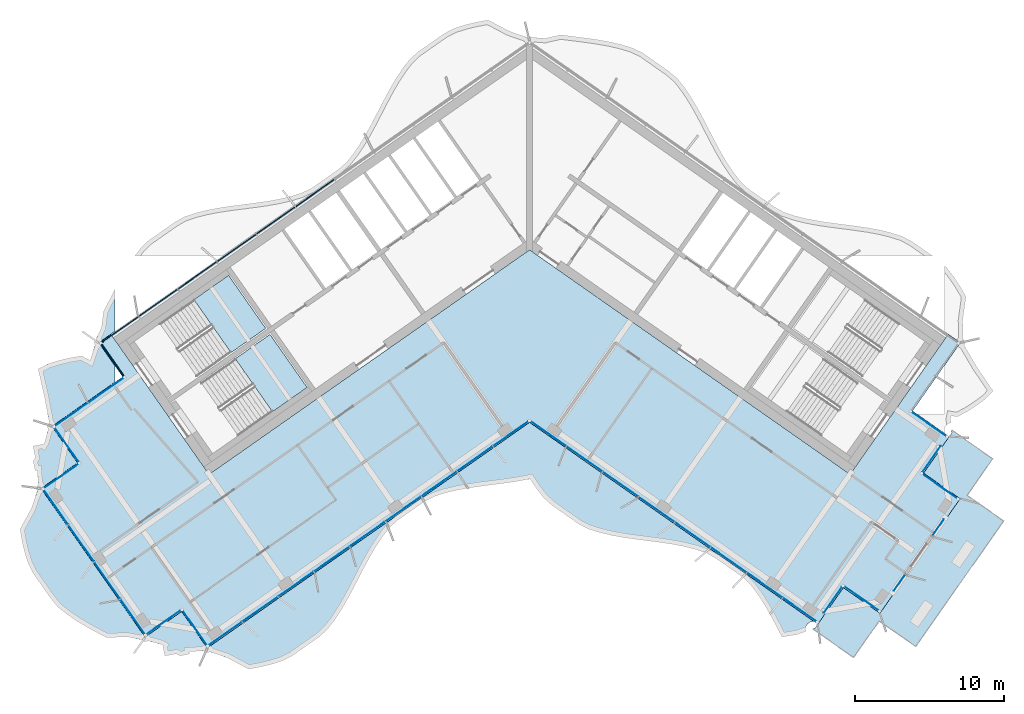
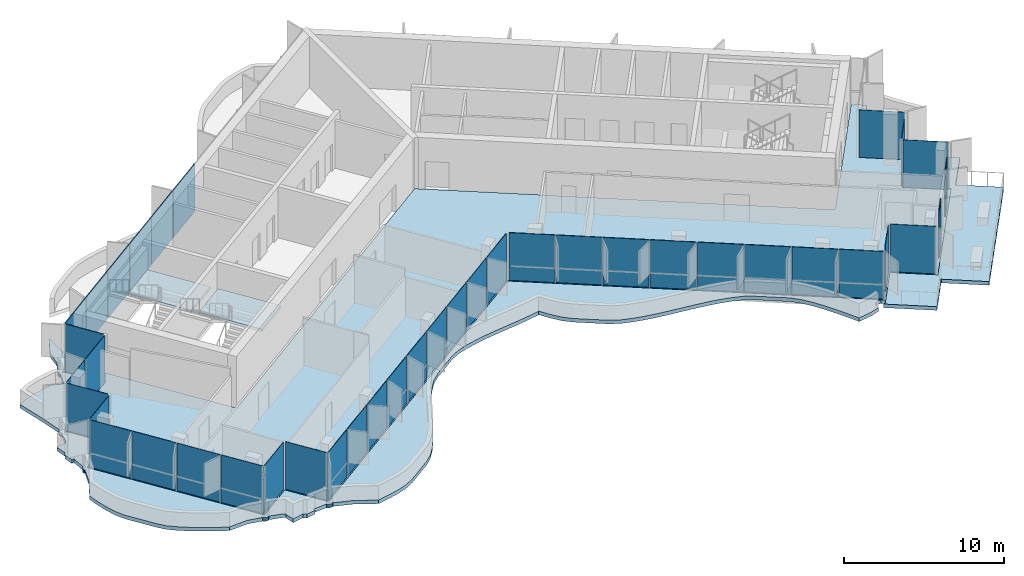
# One storey, part 7 of 18: 41 plates, 5 slabs, 5 elements without a shape of their own.
"""IFC4 building model written with IfcOpenShell, lengths in metres."""

from ifc_helpers import new_model, si_unit, direction, frame, origin, origin_2d, place, context, subcontext, project, spatial, polyline, rectangle, outline, extrude, material, layer, layer_set, type_object, element, aggregate, save


model = new_model("IFC4")

# Units and contexts
model_context = context("Model", 3, precision=1e-05, world=origin(), true_north=direction((0.0, 1.0)))
body_context = subcontext(model_context, "Body", "Model", "MODEL_VIEW")
ifc_project = project(units=[si_unit("LENGTHUNIT", "METRE"), si_unit("AREAUNIT", "SQUARE_METRE"), si_unit("VOLUMEUNIT", "CUBIC_METRE"), si_unit("PLANEANGLEUNIT", "RADIAN"), si_unit("MASSUNIT", "GRAM", prefix="KILO")], contexts=[model_context])

# Site, building, storey
site_placement = place(None, origin())
site = spatial("IfcSite", under=ifc_project, at=site_placement, CompositionType="ELEMENT")
building_placement = place(site_placement, origin())
building = spatial("IfcBuilding", under=site, at=building_placement, Name="Tel Ilan Convention Tower", CompositionType="ELEMENT")
storey_placement = place(building_placement, frame((0.0, 0.0, 272.199951171875)))
storey = spatial("IfcBuildingStorey", under=building, at=storey_placement, Name="L64", CompositionType="ELEMENT", Elevation=272.199951171875)

# Curtain wall, plates
ifc_material_1 = material(Name="Aluminium, bronze anodised", Category="aluminium")
curtain_wall_type_1 = type_object("IfcCurtainWallType", Name="CW2 STICK CURTAIN WALL, SPANDREL PANELS", PredefinedType="NOTDEFINED", material=ifc_material_1)
curtain_wall_1_placement = place(storey_placement, origin())
curtain_wall_1 = element("IfcCurtainWall", 1, at=curtain_wall_1_placement, inside=storey, type_object=curtain_wall_type_1, Name="Curtain wall CW2-49.03", PredefinedType="NOTDEFINED")
ifc_material_2 = material(Name="Aluminium composite panel, bronze anodised", Category="aluminium")
ifc_layer_1 = layer(ifc_material_2, 0.06005859375)
ifc_layer_set_1 = layer_set([ifc_layer_1], Name="CW SPANDREL PANEL 60")
plate_type_1 = type_object("IfcPlateType", Name="CW SPANDREL PANEL 60", PredefinedType="CURTAIN_PANEL", material=ifc_layer_set_1)
plate_1_placement = place(storey_placement, frame((-14.422119140625, 2.59765625, 0.0), z_axis=(0.0, 0.0, 1.0), x_axis=(-0.819152044289, -0.573576436351, 0.0)))
plate_1 = element("IfcPlate", 2, at=plate_1_placement, type_object=plate_type_1, Name="Spandrel panel", PredefinedType="CURTAIN_PANEL", context=body_context, shape_type="SweptSolid", body=[
    extrude(rectangle(XDim=3.15380859375, YDim=0.06005859375, at=origin_2d()), origin(), (0.0, 0.0, 1.0), 3.6201171875),
])
plate_2_placement = place(storey_placement, frame((-17.0546875, 0.754150390625, 0.0), z_axis=(0.0, 0.0, 1.0), x_axis=(-0.819152044289, -0.573576436351, 0.0)))
plate_2 = element("IfcPlate", 3, at=plate_2_placement, type_object=plate_type_1, Name="Spandrel panel", PredefinedType="CURTAIN_PANEL", context=body_context, shape_type="SweptSolid", body=[
    extrude(rectangle(XDim=3.15380859375, YDim=0.06005859375, at=origin_2d()), origin(), (0.0, 0.0, 1.0), 3.6201171875),
])
plate_3_placement = place(storey_placement, frame((-19.687255859375, -1.089111328125, 0.0), z_axis=(0.0, 0.0, 1.0), x_axis=(-0.819152044289, -0.573576436351, 0.0)))
plate_3 = element("IfcPlate", 4, at=plate_3_placement, type_object=plate_type_1, Name="Spandrel panel", PredefinedType="CURTAIN_PANEL", context=body_context, shape_type="SweptSolid", body=[
    extrude(rectangle(XDim=3.15380859375, YDim=0.06005859375, at=origin_2d()), origin(), (0.0, 0.0, 1.0), 3.6201171875),
])
plate_4_placement = place(storey_placement, frame((-22.31982421875, -2.9326171875, 0.0), z_axis=(0.0, 0.0, 1.0), x_axis=(-0.819152044289, -0.573576436351, 0.0)))
plate_4 = element("IfcPlate", 5, at=plate_4_placement, type_object=plate_type_1, Name="Spandrel panel", PredefinedType="CURTAIN_PANEL", context=body_context, shape_type="SweptSolid", body=[
    extrude(rectangle(XDim=3.15380859375, YDim=0.06005859375, at=origin_2d()), origin(), (0.0, 0.0, 1.0), 3.6201171875),
])
plate_5_placement = place(storey_placement, frame((-24.95263671875, -4.77587890625, 0.0), z_axis=(0.0, 0.0, 1.0), x_axis=(-0.819152044289, -0.573576436351, 0.0)))
plate_5 = element("IfcPlate", 6, at=plate_5_placement, type_object=plate_type_1, Name="Spandrel panel", PredefinedType="CURTAIN_PANEL", context=body_context, shape_type="SweptSolid", body=[
    extrude(rectangle(XDim=3.15380859375, YDim=0.06005859375, at=origin_2d()), origin(), (0.0, 0.0, 1.0), 3.6201171875),
])
plate_6_placement = place(storey_placement, frame((-27.5400390625, -6.587646484375, 0.0), z_axis=(0.0, 0.0, 1.0), x_axis=(-0.819152044289, -0.573576436351, 0.0)))
plate_6 = element("IfcPlate", 7, at=plate_6_placement, type_object=plate_type_1, Name="Spandrel panel", PredefinedType="CURTAIN_PANEL", context=body_context, shape_type="SweptSolid", body=[
    extrude(rectangle(XDim=3.0439453125, YDim=0.06005859375, at=origin_2d()), origin(), (0.0, 0.0, 1.0), 3.6201171875),
])
plate_7_placement = place(storey_placement, frame((-28.033935546875, -8.60546875, 0.0), z_axis=(0.0, 0.0, 1.0), x_axis=(0.573576436351, -0.819152044289, 0.0)))
plate_7 = element("IfcPlate", 8, at=plate_7_placement, type_object=plate_type_1, Name="Spandrel panel", PredefinedType="CURTAIN_PANEL", context=body_context, shape_type="SweptSolid", body=[
    extrude(rectangle(XDim=2.658935546875, YDim=0.06005859375, at=origin_2d()), origin(), (0.0, 0.0, 1.0), 3.6201171875),
])
aggregate(curtain_wall_1, [plate_1, plate_2, plate_3, plate_4, plate_5, plate_6, plate_7])

ifc_material_3 = material(Name="Aluminium, bronze anodised", Category="aluminium")
curtain_wall_type_2 = type_object("IfcCurtainWallType", Name="CW5 STICK CURTAIN WALL, UPPER OFFICE LOW-IRON TINTED GLASS", PredefinedType="NOTDEFINED", material=ifc_material_3)
curtain_wall_2_placement = place(storey_placement, origin())
curtain_wall_2 = element("IfcCurtainWall", 9, at=curtain_wall_2_placement, inside=storey, type_object=curtain_wall_type_2, Name="Curtain wall CW5-49.02", PredefinedType="NOTDEFINED")
ifc_material_4 = material(Name="Glass, low-iron bronze tinted, two-ply", Category="glass")
ifc_layer_2 = layer(ifc_material_4, 0.031982421875)
ifc_layer_set_2 = layer_set([ifc_layer_2], Name="CW UPPER GLASS PANEL 32")
plate_type_2 = type_object("IfcPlateType", Name="CW UPPER GLASS PANEL 32", PredefinedType="CURTAIN_PANEL", material=ifc_layer_set_2)
plate_8_placement = place(storey_placement, frame((27.459716796875, -19.88623046875, 0.0), z_axis=(0.0, 0.0, 1.0), x_axis=(0.573576436351, 0.819152044289, 0.0)))
plate_8 = element("IfcPlate", 10, at=plate_8_placement, type_object=plate_type_2, Name="Glass panel", PredefinedType="CURTAIN_PANEL", context=body_context, shape_type="SweptSolid", body=[
    extrude(rectangle(XDim=1.327392578125, YDim=0.028076171875, at=origin_2d()), origin(), (0.0, 0.0, 1.0), 3.6201171875),
])
plate_9_placement = place(storey_placement, frame((27.6044921875, -17.131591796875, 0.0), z_axis=(0.0, 0.0, 1.0), x_axis=(-0.819152044289, 0.573576436351, 0.0)))
plate_9 = element("IfcPlate", 11, at=plate_9_placement, type_object=plate_type_2, Name="Glass panel", PredefinedType="CURTAIN_PANEL", context=body_context, shape_type="SweptSolid", body=[
    extrude(rectangle(XDim=2.875, YDim=0.028076171875, at=origin_2d()), origin(), (0.0, 0.0, 1.0), 3.6201171875),
])
plate_10_placement = place(storey_placement, frame((27.010986328125, -15.296875, 0.0), z_axis=(0.0, 0.0, 1.0), x_axis=(0.573576436351, 0.819152044289, 0.0)))
plate_10 = element("IfcPlate", 12, at=plate_10_placement, type_object=plate_type_2, Name="Glass panel", PredefinedType="CURTAIN_PANEL", context=body_context, shape_type="SweptSolid", body=[
    extrude(rectangle(XDim=2.123046875, YDim=0.028076171875, at=origin_2d()), origin(), (0.0, 0.0, 1.0), 3.6201171875),
])
plate_11_placement = place(storey_placement, frame((26.86767578125, -12.953369140625, 0.0), z_axis=(0.0, 0.0, 1.0), x_axis=(-0.819152044289, 0.573576436351, 0.0)))
plate_11 = element("IfcPlate", 13, at=plate_11_placement, type_object=plate_type_2, Name="Glass panel", PredefinedType="CURTAIN_PANEL", context=body_context, shape_type="SweptSolid", body=[
    extrude(rectangle(XDim=2.875, YDim=0.028076171875, at=origin_2d()), origin(), (0.0, 0.0, 1.0), 3.6201171875),
])
aggregate(curtain_wall_2, [plate_8, plate_9, plate_10, plate_11])

curtain_wall_3_placement = place(storey_placement, origin())
curtain_wall_3 = element("IfcCurtainWall", 14, at=curtain_wall_3_placement, inside=storey, type_object=curtain_wall_type_2, Name="Curtain wall CW5-49.04", PredefinedType="NOTDEFINED")
plate_12_placement = place(storey_placement, frame((-28.471435546875, -10.657958984375, 0.0), z_axis=(0.0, 0.0, 1.0), x_axis=(-0.819152044289, -0.573576436351, 0.0)))
plate_12 = element("IfcPlate", 15, at=plate_12_placement, type_object=plate_type_2, Name="Glass panel", PredefinedType="CURTAIN_PANEL", context=body_context, shape_type="SweptSolid", body=[
    extrude(rectangle(XDim=2.868896484375, YDim=0.028076171875, at=origin_2d()), origin(), (0.0, 0.0, 1.0), 3.6201171875),
])
plate_13_placement = place(storey_placement, frame((-30.8203125, -12.302734375, 0.0), z_axis=(0.0, 0.0, 1.0), x_axis=(-0.819152044289, -0.573576436351, 0.0)))
plate_13 = element("IfcPlate", 16, at=plate_13_placement, type_object=plate_type_2, Name="Glass panel", PredefinedType="CURTAIN_PANEL", context=body_context, shape_type="SweptSolid", body=[
    extrude(rectangle(XDim=2.74609375, YDim=0.028076171875, at=origin_2d()), origin(), (0.0, 0.0, 1.0), 3.6201171875),
])
plate_14_placement = place(storey_placement, frame((-31.126220703125, -14.30126953125, 0.0), z_axis=(0.0, 0.0, 1.0), x_axis=(0.573576436351, -0.819152044289, 0.0)))
plate_14 = element("IfcPlate", 17, at=plate_14_placement, type_object=plate_type_2, Name="Glass panel", PredefinedType="CURTAIN_PANEL", context=body_context, shape_type="SweptSolid", body=[
    extrude(rectangle(XDim=2.875, YDim=0.028076171875, at=origin_2d()), origin(), (0.0, 0.0, 1.0), 3.6201171875),
])
plate_15_placement = place(storey_placement, frame((-31.504150390625, -16.44384765625, 0.0), z_axis=(0.0, 0.0, 1.0), x_axis=(-0.819152044289, -0.573576436351, 0.0)))
plate_15 = element("IfcPlate", 18, at=plate_15_placement, type_object=plate_type_2, Name="Glass panel", PredefinedType="CURTAIN_PANEL", context=body_context, shape_type="SweptSolid", body=[
    extrude(rectangle(XDim=2.875, YDim=0.028076171875, at=origin_2d()), origin(), (0.0, 0.0, 1.0), 3.6201171875),
])
plate_16_placement = place(storey_placement, frame((-31.85693359375, -18.488037109375, 0.0), z_axis=(0.0, 0.0, 1.0), x_axis=(0.573576436351, -0.819152044289, 0.0)))
plate_16 = element("IfcPlate", 19, at=plate_16_placement, type_object=plate_type_2, Name="Glass panel", PredefinedType="CURTAIN_PANEL", context=body_context, shape_type="SweptSolid", body=[
    extrude(rectangle(XDim=2.89599609375, YDim=0.028076171875, at=origin_2d()), origin(), (0.0, 0.0, 1.0), 3.6201171875),
])
plate_17_placement = place(storey_placement, frame((-30.134521484375, -20.94775390625, 0.0), z_axis=(0.0, 0.0, 1.0), x_axis=(0.573576436351, -0.819152044289, 0.0)))
plate_17 = element("IfcPlate", 20, at=plate_17_placement, type_object=plate_type_2, Name="Glass panel", PredefinedType="CURTAIN_PANEL", context=body_context, shape_type="SweptSolid", body=[
    extrude(rectangle(XDim=2.989990234375, YDim=0.028076171875, at=origin_2d()), origin(), (0.0, 0.0, 1.0), 3.6201171875),
])
plate_18_placement = place(storey_placement, frame((-28.38525390625, -23.4462890625, 0.0), z_axis=(0.0, 0.0, 1.0), x_axis=(0.573576436351, -0.819152044289, 0.0)))
plate_18 = element("IfcPlate", 21, at=plate_18_placement, type_object=plate_type_2, Name="Glass panel", PredefinedType="CURTAIN_PANEL", context=body_context, shape_type="SweptSolid", body=[
    extrude(rectangle(XDim=2.989990234375, YDim=0.028076171875, at=origin_2d()), origin(), (0.0, 0.0, 1.0), 3.6201171875),
])
plate_19_placement = place(storey_placement, frame((-26.66259765625, -25.90625, 0.0), z_axis=(0.0, 0.0, 1.0), x_axis=(0.573576436351, -0.819152044289, 0.0)))
plate_19 = element("IfcPlate", 22, at=plate_19_placement, type_object=plate_type_2, Name="Glass panel", PredefinedType="CURTAIN_PANEL", context=body_context, shape_type="SweptSolid", body=[
    extrude(rectangle(XDim=2.89599609375, YDim=0.028076171875, at=origin_2d()), origin(), (0.0, 0.0, 1.0), 3.6201171875),
])
plate_20_placement = place(storey_placement, frame((-24.621337890625, -26.273681640625, 0.0), z_axis=(0.0, 0.0, 1.0), x_axis=(0.819152044289, 0.573576436351, 0.0)))
plate_20 = element("IfcPlate", 23, at=plate_20_placement, type_object=plate_type_2, Name="Glass panel", PredefinedType="CURTAIN_PANEL", context=body_context, shape_type="SweptSolid", body=[
    extrude(rectangle(XDim=2.875, YDim=0.028076171875, at=origin_2d()), origin(), (0.0, 0.0, 1.0), 3.6201171875),
])
plate_21_placement = place(storey_placement, frame((-22.478515625, -26.651611328125, 0.0), z_axis=(0.0, 0.0, 1.0), x_axis=(0.573576436351, -0.819152044289, 0.0)))
plate_21 = element("IfcPlate", 24, at=plate_21_placement, type_object=plate_type_2, Name="Glass panel", PredefinedType="CURTAIN_PANEL", context=body_context, shape_type="SweptSolid", body=[
    extrude(rectangle(XDim=2.875, YDim=0.028076171875, at=origin_2d()), origin(), (0.0, 0.0, 1.0), 3.6201171875),
])
plate_22_placement = place(storey_placement, frame((-20.47998046875, -27.036376953125, 0.0), z_axis=(0.0, 0.0, 1.0), x_axis=(0.819152044289, 0.573576436351, 0.0)))
plate_22 = element("IfcPlate", 25, at=plate_22_placement, type_object=plate_type_2, Name="Glass panel", PredefinedType="CURTAIN_PANEL", context=body_context, shape_type="SweptSolid", body=[
    extrude(rectangle(XDim=2.78466796875, YDim=0.028076171875, at=origin_2d()), origin(), (0.0, 0.0, 1.0), 3.6201171875),
])
plate_23_placement = place(storey_placement, frame((-18.111328125, -25.377685546875, 0.0), z_axis=(0.0, 0.0, 1.0), x_axis=(0.819152044289, 0.573576436351, 0.0)))
plate_23 = element("IfcPlate", 26, at=plate_23_placement, type_object=plate_type_2, Name="Glass panel", PredefinedType="CURTAIN_PANEL", context=body_context, shape_type="SweptSolid", body=[
    extrude(rectangle(XDim=2.878662109375, YDim=0.028076171875, at=origin_2d()), origin(), (0.0, 0.0, 1.0), 3.6201171875),
])
plate_24_placement = place(storey_placement, frame((-15.7041015625, -23.692138671875, 0.0), z_axis=(0.0, 0.0, 1.0), x_axis=(0.819152044289, 0.573576436351, 0.0)))
plate_24 = element("IfcPlate", 27, at=plate_24_placement, type_object=plate_type_2, Name="Glass panel", PredefinedType="CURTAIN_PANEL", context=body_context, shape_type="SweptSolid", body=[
    extrude(rectangle(XDim=2.878662109375, YDim=0.028076171875, at=origin_2d()), origin(), (0.0, 0.0, 1.0), 3.6201171875),
])
plate_25_placement = place(storey_placement, frame((-13.296875, -22.006591796875, 0.0), z_axis=(0.0, 0.0, 1.0), x_axis=(0.819152044289, 0.573576436351, 0.0)))
plate_25 = element("IfcPlate", 28, at=plate_25_placement, type_object=plate_type_2, Name="Glass panel", PredefinedType="CURTAIN_PANEL", context=body_context, shape_type="SweptSolid", body=[
    extrude(rectangle(XDim=2.878662109375, YDim=0.028076171875, at=origin_2d()), origin(), (0.0, 0.0, 1.0), 3.6201171875),
])
plate_26_placement = place(storey_placement, frame((-10.8896484375, -20.321044921875, 0.0), z_axis=(0.0, 0.0, 1.0), x_axis=(0.819152044289, 0.573576436351, 0.0)))
plate_26 = element("IfcPlate", 29, at=plate_26_placement, type_object=plate_type_2, Name="Glass panel", PredefinedType="CURTAIN_PANEL", context=body_context, shape_type="SweptSolid", body=[
    extrude(rectangle(XDim=2.878662109375, YDim=0.028076171875, at=origin_2d()), origin(), (0.0, 0.0, 1.0), 3.6201171875),
])
plate_27_placement = place(storey_placement, frame((-8.482666015625, -18.635498046875, 0.0), z_axis=(0.0, 0.0, 1.0), x_axis=(0.819152044289, 0.573576436351, 0.0)))
plate_27 = element("IfcPlate", 30, at=plate_27_placement, type_object=plate_type_2, Name="Glass panel", PredefinedType="CURTAIN_PANEL", context=body_context, shape_type="SweptSolid", body=[
    extrude(rectangle(XDim=2.878662109375, YDim=0.028076171875, at=origin_2d()), origin(), (0.0, 0.0, 1.0), 3.6201171875),
])
plate_28_placement = place(storey_placement, frame((-6.075439453125, -16.949951171875, 0.0), z_axis=(0.0, 0.0, 1.0), x_axis=(0.819152044289, 0.573576436351, 0.0)))
plate_28 = element("IfcPlate", 31, at=plate_28_placement, type_object=plate_type_2, Name="Glass panel", PredefinedType="CURTAIN_PANEL", context=body_context, shape_type="SweptSolid", body=[
    extrude(rectangle(XDim=2.878662109375, YDim=0.028076171875, at=origin_2d()), origin(), (0.0, 0.0, 1.0), 3.6201171875),
])
plate_29_placement = place(storey_placement, frame((-3.668212890625, -15.264404296875, 0.0), z_axis=(0.0, 0.0, 1.0), x_axis=(0.819152044289, 0.573576436351, 0.0)))
plate_29 = element("IfcPlate", 32, at=plate_29_placement, type_object=plate_type_2, Name="Glass panel", PredefinedType="CURTAIN_PANEL", context=body_context, shape_type="SweptSolid", body=[
    extrude(rectangle(XDim=2.878662109375, YDim=0.028076171875, at=origin_2d()), origin(), (0.0, 0.0, 1.0), 3.6201171875),
])
plate_30_placement = place(storey_placement, frame((-1.261474609375, -13.579345703125, 0.0), z_axis=(0.0, 0.0, 1.0), x_axis=(0.819152044289, 0.573576436351, 0.0)))
plate_30 = element("IfcPlate", 33, at=plate_30_placement, type_object=plate_type_2, Name="Glass panel", PredefinedType="CURTAIN_PANEL", context=body_context, shape_type="SweptSolid", body=[
    extrude(rectangle(XDim=2.877685546875, YDim=0.028076171875, at=origin_2d()), origin(), (0.0, 0.0, 1.0), 3.6201171875),
])
plate_31_placement = place(storey_placement, frame((1.280029296875, -13.59228515625, 0.0), z_axis=(0.0, 0.0, 1.0), x_axis=(0.819152044289, -0.573576436351, 0.0)))
plate_31 = element("IfcPlate", 34, at=plate_31_placement, type_object=plate_type_2, Name="Glass panel", PredefinedType="CURTAIN_PANEL", context=body_context, shape_type="SweptSolid", body=[
    extrude(rectangle(XDim=2.866943359375, YDim=0.028076171875, at=origin_2d()), origin(), (0.0, 0.0, 1.0), 3.6201171875),
])
plate_32_placement = place(storey_placement, frame((3.689453125, -15.279541015625, 0.0), z_axis=(0.0, 0.0, 1.0), x_axis=(0.819152044289, -0.573576436351, 0.0)))
plate_32 = element("IfcPlate", 35, at=plate_32_placement, type_object=plate_type_2, Name="Glass panel", PredefinedType="CURTAIN_PANEL", context=body_context, shape_type="SweptSolid", body=[
    extrude(rectangle(XDim=2.89599609375, YDim=0.028076171875, at=origin_2d()), origin(), (0.0, 0.0, 1.0), 3.6201171875),
])
plate_33_placement = place(storey_placement, frame((6.11083984375, -16.974853515625, 0.0), z_axis=(0.0, 0.0, 1.0), x_axis=(0.819152044289, -0.573576436351, 0.0)))
plate_33 = element("IfcPlate", 36, at=plate_33_placement, type_object=plate_type_2, Name="Glass panel", PredefinedType="CURTAIN_PANEL", context=body_context, shape_type="SweptSolid", body=[
    extrude(rectangle(XDim=2.89599609375, YDim=0.028076171875, at=origin_2d()), origin(), (0.0, 0.0, 1.0), 3.6201171875),
])
plate_34_placement = place(storey_placement, frame((8.5322265625, -18.67041015625, 0.0), z_axis=(0.0, 0.0, 1.0), x_axis=(0.819152044289, -0.573576436351, 0.0)))
plate_34 = element("IfcPlate", 37, at=plate_34_placement, type_object=plate_type_2, Name="Glass panel", PredefinedType="CURTAIN_PANEL", context=body_context, shape_type="SweptSolid", body=[
    extrude(rectangle(XDim=2.89599609375, YDim=0.028076171875, at=origin_2d()), origin(), (0.0, 0.0, 1.0), 3.6201171875),
])
plate_35_placement = place(storey_placement, frame((10.95361328125, -20.365966796875, 0.0), z_axis=(0.0, 0.0, 1.0), x_axis=(0.819152044289, -0.573576436351, 0.0)))
plate_35 = element("IfcPlate", 38, at=plate_35_placement, type_object=plate_type_2, Name="Glass panel", PredefinedType="CURTAIN_PANEL", context=body_context, shape_type="SweptSolid", body=[
    extrude(rectangle(XDim=2.89599609375, YDim=0.028076171875, at=origin_2d()), origin(), (0.0, 0.0, 1.0), 3.6201171875),
])
plate_36_placement = place(storey_placement, frame((13.375, -22.061279296875, 0.0), z_axis=(0.0, 0.0, 1.0), x_axis=(0.819152044289, -0.573576436351, 0.0)))
plate_36 = element("IfcPlate", 39, at=plate_36_placement, type_object=plate_type_2, Name="Glass panel", PredefinedType="CURTAIN_PANEL", context=body_context, shape_type="SweptSolid", body=[
    extrude(rectangle(XDim=2.89599609375, YDim=0.028076171875, at=origin_2d()), origin(), (0.0, 0.0, 1.0), 3.6201171875),
])
plate_37_placement = place(storey_placement, frame((15.79638671875, -23.7568359375, 0.0), z_axis=(0.0, 0.0, 1.0), x_axis=(0.819152044289, -0.573576436351, 0.0)))
plate_37 = element("IfcPlate", 40, at=plate_37_placement, type_object=plate_type_2, Name="Glass panel", PredefinedType="CURTAIN_PANEL", context=body_context, shape_type="SweptSolid", body=[
    extrude(rectangle(XDim=2.89599609375, YDim=0.028076171875, at=origin_2d()), origin(), (0.0, 0.0, 1.0), 3.6201171875),
])
plate_38_placement = place(storey_placement, frame((18.17919921875, -25.42529296875, 0.0), z_axis=(0.0, 0.0, 1.0), x_axis=(0.819152044289, -0.573576436351, 0.0)))
plate_38 = element("IfcPlate", 41, at=plate_38_placement, type_object=plate_type_2, Name="Glass panel", PredefinedType="CURTAIN_PANEL", context=body_context, shape_type="SweptSolid", body=[
    extrude(rectangle(XDim=2.802001953125, YDim=0.028076171875, at=origin_2d()), origin(), (0.0, 0.0, 1.0), 3.6201171875),
])
plate_39_placement = place(storey_placement, frame((20.400634765625, -24.737548828125, 0.0), z_axis=(0.0, 0.0, 1.0), x_axis=(0.573576436351, 0.819152044289, 0.0)))
plate_39 = element("IfcPlate", 42, at=plate_39_placement, type_object=plate_type_2, Name="Glass panel", PredefinedType="CURTAIN_PANEL", context=body_context, shape_type="SweptSolid", body=[
    extrude(rectangle(XDim=2.123046875, YDim=0.028076171875, at=origin_2d()), origin(), (0.0, 0.0, 1.0), 3.6201171875),
])
plate_40_placement = place(storey_placement, frame((22.32763671875, -24.667724609375, 0.0), z_axis=(0.0, 0.0, 1.0), x_axis=(0.819152044289, -0.573576436351, 0.0)))
plate_40 = element("IfcPlate", 43, at=plate_40_placement, type_object=plate_type_2, Name="Glass panel", PredefinedType="CURTAIN_PANEL", context=body_context, shape_type="SweptSolid", body=[
    extrude(rectangle(XDim=2.875, YDim=0.028076171875, at=origin_2d()), origin(), (0.0, 0.0, 1.0), 3.6201171875),
])
plate_41_placement = place(storey_placement, frame((24.86669921875, -23.58935546875, 0.0), z_axis=(0.0, 0.0, 1.0), x_axis=(0.573576436351, 0.819152044289, 0.0)))
plate_41 = element("IfcPlate", 44, at=plate_41_placement, type_object=plate_type_2, Name="Glass panel", PredefinedType="CURTAIN_PANEL", context=body_context, shape_type="SweptSolid", body=[
    extrude(rectangle(XDim=1.327392578125, YDim=0.028076171875, at=origin_2d()), origin(), (0.0, 0.0, 1.0), 3.6201171875),
])
aggregate(curtain_wall_3, [plate_12, plate_13, plate_14, plate_15, plate_16, plate_17, plate_18, plate_19, plate_20, plate_21, plate_22, plate_23, plate_24, plate_25, plate_26, plate_27, plate_28, plate_29, plate_30, plate_31, plate_32, plate_33, plate_34, plate_35, plate_36, plate_37, plate_38, plate_39, plate_40, plate_41])

# Stair, slab
ifc_material_5 = material(Name="Concrete C40/50", Category="concrete")
stair_type = type_object("IfcStairType", Name="Pressurised Exit Stair 22 risers 177 mm", PredefinedType="HALF_TURN_STAIR", material=ifc_material_5)
stair_1_placement = place(storey_placement, origin())
stair_1 = element("IfcStair", 45, at=stair_1_placement, inside=storey, type_object=stair_type, Name="L64 Pressurised Stair S1", PredefinedType="HALF_TURN_STAIR")
ifc_material_6 = material(Name="Concrete C40/50", Category="concrete")
ifc_layer_3 = layer(ifc_material_6, 0.199951171875)
ifc_layer_set_3 = layer_set([ifc_layer_3], Name="Concrete Stair Landing 200 mm C40/50")
slab_type_1 = type_object("IfcSlabType", Name="Concrete Stair Landing 200 mm", PredefinedType="LANDING", material=ifc_layer_set_3)
slab_1_placement = place(storey_placement, frame((0.0, 0.0, 1.75)))
slab_1 = element("IfcSlab", 46, at=slab_1_placement, type_object=slab_type_1, Name="S1 landing 1", PredefinedType="LANDING", context=body_context, shape_type="SweptSolid", body=[
    extrude(outline(polyline([(-20.066650390625, -8.130126953125), (-17.7314453125, -6.494873046875), (-20.226318359375, -2.931640625), (-22.561767578125, -4.566650390625), (-20.066650390625, -8.130126953125)])), origin(), (0.0, 0.0, 1.0), 0.199951171875),
])
aggregate(stair_1, [slab_1])

stair_2_placement = place(storey_placement, origin())
stair_2 = element("IfcStair", 47, at=stair_2_placement, inside=storey, type_object=stair_type, Name="L64 Pressurised Stair S2", PredefinedType="HALF_TURN_STAIR")
slab_2_placement = place(storey_placement, frame((0.0, 0.0, 1.75)))
slab_2 = element("IfcSlab", 48, at=slab_2_placement, type_object=slab_type_1, Name="S2 landing 1", PredefinedType="LANDING", context=body_context, shape_type="SweptSolid", body=[
    extrude(outline(polyline([(-17.28466796875, -12.10302734375), (-14.949462890625, -10.4677734375), (-17.444580078125, -6.904541015625), (-19.77978515625, -8.53955078125), (-17.28466796875, -12.10302734375)])), origin(), (0.0, 0.0, 1.0), 0.199951171875),
])
aggregate(stair_2, [slab_2])

# Slabs
ifc_material_7 = material(Name="Concrete C40/50", Category="concrete")
ifc_layer_4 = layer(ifc_material_7, 0.280029296875)
ifc_layer_set_4 = layer_set([ifc_layer_4], Name="Edge Ledge Slab 280 mm C40/50")
slab_type_2 = type_object("IfcSlabType", Name="Edge Ledge Slab 280 mm C40/50", PredefinedType="FLOOR", material=ifc_layer_set_4)
slab_3_placement = place(storey_placement, frame((0.0, 0.0, -0.280029296875)))
element("IfcSlab", 49, at=slab_3_placement, inside=storey, type_object=slab_type_2, Name="L64 edge ledge 1", PredefinedType="FLOOR", context=body_context, shape_type="SweptSolid", body=[
    extrude(outline(polyline([(-29.82373046875, -26.5341796875), (-30.49462890625, -26.1279296875), (-31.125732421875, -25.69384765625), (-31.707763671875, -25.22509765625), (-32.166748046875, -24.670654296875), (-33.401611328125, -22.906982421875), (-33.7158203125, -22.2509765625), (-33.940185546875, -21.531982421875), (-34.1181640625, -20.780517578125), (-34.248779296875, -19.995849609375), (-33.47021484375, -18.574462890625), (-33.08642578125, -17.4296875), (-33.081787109375, -17.426513671875), (-33.117919921875, -17.372314453125), (-33.140625, -17.257568359375), (-33.117919921875, -17.142822265625), (-33.052734375, -17.04541015625), (-33.009521484375, -17.0166015625), (-33.0126953125, -17.011962890625), (-33.085693359375, -16.03955078125), (-33.232666015625, -16.067138671875), (-33.365478515625, -15.427490234375), (-33.22265625, -15.193603515625), (-33.370849609375, -14.408203125), (-32.7314453125, -14.275390625), (-32.681640625, -14.3056640625), (-32.586669921875, -14.14990234375), (-32.349609375, -13.25146484375), (-32.344970703125, -13.248291015625), (-32.381103515625, -13.194091796875), (-32.40380859375, -13.079345703125), (-32.381103515625, -12.964599609375), (-32.31591796875, -12.8671875), (-32.272705078125, -12.83837890625), (-32.27587890625, -12.833740234375), (-32.6083984375, -11.094970703125), (-33.031982421875, -9.225830078125), (-32.382080078125, -8.890380859375), (-31.6572265625, -8.661376953125), (-30.899169921875, -8.47998046875), (-30.110107421875, -8.3427734375), (-29.537353515625, -8.652587890625), (-29.20458984375, -7.631103515625), (-29.199951171875, -7.6279296875), (-29.236083984375, -7.57373046875), (-29.2587890625, -7.458984375), (-29.236083984375, -7.34423828125), (-29.1708984375, -7.246826171875), (-29.127685546875, -7.218017578125), (-29.130859375, -7.21337890625), (-28.772216796875, -6.441650390625), (-28.635009765625, -5.353515625), (-28.252685546875, -4.614990234375), (-27.875, -3.881103515625), (-27.875, -6.7001953125), (-28.958740234375, -7.458984375), (-27.875, -9.007080078125), (-27.875, -10.1181640625), (-32.10400390625, -13.079345703125), (-30.383056640625, -15.536865234375), (-32.840576171875, -17.257568359375), (-25.843017578125, -27.251220703125), (-23.385498046875, -25.530517578125), (-21.664794921875, -27.988037109375), (0.0, -12.818115234375), (19.125, -26.209716796875), (19.05859375, -26.204833984375), (19.009521484375, -26.206298828125), (18.960693359375, -26.21240234375), (18.912841796875, -26.22314453125), (18.866455078125, -26.23876953125), (18.821533203125, -26.2587890625), (18.779052734375, -26.283203125), (18.739013671875, -26.311279296875), (18.701904296875, -26.343505859375), (18.668212890625, -26.379150390625), (18.637939453125, -26.41796875), (18.61181640625, -26.45947265625), (18.590087890625, -26.50341796875), (18.572509765625, -26.54931640625), (18.5595703125, -26.596435546875), (18.55126953125, -26.64501953125), (18.547607421875, -26.69384765625), (18.549072265625, -26.742919921875), (18.55517578125, -26.79150390625), (18.566162109375, -26.83935546875), (18.572509765625, -26.8583984375), (17.98388671875, -27.074951171875), (16.96240234375, -27.2451171875), (16.57958984375, -26.50341796875), (16.18994140625, -25.771728515625), (15.782958984375, -25.064453125), (15.349853515625, -24.39453125), (14.88330078125, -23.7724609375), (14.356201171875, -23.23681640625), (12.540283203125, -21.965087890625), (11.8955078125, -21.59765625), (11.16455078125, -21.353271484375), (10.3974609375, -21.159912109375), (9.601806640625, -21.008056640625), (8.785888671875, -20.885009765625), (7.958740234375, -20.777587890625), (7.130615234375, -20.672119140625), (6.311279296875, -20.553955078125), (5.510009765625, -20.40966796875), (4.73583984375, -20.22705078125), (3.99609375, -19.9951171875), (3.325927734375, -19.663818359375), (1.510009765625, -18.39208984375), (0.956298828125, -17.894287109375), (0.481201171875, -17.28466796875), (0.041015625, -16.624755859375), (0.03369140625, -16.6123046875), (-0.023681640625, -16.626708984375), (-0.816650390625, -16.775146484375), (-1.62890625, -16.895751953125), (-2.45166015625, -17.001953125), (-3.274658203125, -17.107421875), (-4.08837890625, -17.225830078125), (-4.8837890625, -17.370849609375), (-5.65234375, -17.55419921875), (-6.386474609375, -17.78662109375), (-7.049560546875, -18.12060546875), (-8.85498046875, -19.384521484375), (-9.404541015625, -19.880615234375), (-9.877197265625, -20.486572265625), (-10.314697265625, -21.142333984375), (-10.724853515625, -21.83740234375), (-11.11572265625, -22.56005859375), (-11.49658203125, -23.296875), (-11.877197265625, -24.0341796875), (-12.267333984375, -24.7578125), (-12.67626953125, -25.454833984375), (-13.1123046875, -26.113037109375), (-13.582763671875, -26.721923828125), (-14.12646484375, -27.226318359375), (-15.931884765625, -28.490478515625), (-16.588623046875, -28.833251953125), (-17.32080078125, -29.068603515625), (-18.08740234375, -29.25439453125), (-18.88330078125, -29.3984375), (-20.311279296875, -28.64013671875), (-21.49267578125, -28.233642578125), (-21.49609375, -28.22900390625), (-21.550048828125, -28.26513671875), (-21.664794921875, -28.2880859375), (-21.779541015625, -28.26513671875), (-21.876953125, -28.2001953125), (-21.906005859375, -28.15673828125), (-21.910400390625, -28.16015625), (-22.8828125, -28.233154296875), (-22.855224609375, -28.3798828125), (-23.49462890625, -28.5126953125), (-23.728759765625, -28.3701171875), (-24.51416015625, -28.518310546875), (-24.64697265625, -27.87890625), (-24.61669921875, -27.8291015625), (-24.7724609375, -27.73388671875), (-25.6708984375, -27.4970703125), (-25.67431640625, -27.4921875), (-25.728271484375, -27.5283203125), (-25.843017578125, -27.55126953125), (-25.957763671875, -27.5283203125), (-26.05517578125, -27.46337890625), (-26.083984375, -27.420166015625), (-26.088623046875, -27.42333984375), (-27.05419921875, -27.223388671875), (-28.398193359375, -27.288330078125), (-29.12353515625, -26.920166015625), (-29.82373046875, -26.5341796875)])), origin(), (0.0, 0.0, 1.0), 0.280029296875),
])
ifc_material_8 = material(Name="Concrete C40/50", Category="concrete")
ifc_layer_5 = layer(ifc_material_8, 0.280029296875)
ifc_layer_set_5 = layer_set([ifc_layer_5], Name="Flat Plate Floor Slab 280 mm C40/50")
slab_type_3 = type_object("IfcSlabType", Name="Flat Plate Floor Slab 280 mm C40/50", PredefinedType="FLOOR", material=ifc_layer_set_5)
slab_4_placement = place(storey_placement, frame((0.0, 0.0, -0.280029296875)))
element("IfcSlab", 50, at=slab_4_placement, inside=storey, type_object=slab_type_3, Name="L64 floor slab", PredefinedType="FLOOR", context=body_context, shape_type="SweptSolid", body=[
    extrude(outline(polyline([(26.4833984375, -16.224609375), (28.94091796875, -17.9453125), (23.54931640625, -25.645263671875), (21.091796875, -23.924560546875), (19.37109375, -26.382080078125), (0.0, -12.818115234375), (-21.664794921875, -27.988037109375), (-23.385498046875, -25.530517578125), (-25.843017578125, -27.251220703125), (-32.840576171875, -17.257568359375), (-30.383056640625, -15.536865234375), (-32.10400390625, -13.079345703125), (-27.352783203125, -9.752685546875), (-28.958740234375, -7.458984375), (-28.1396484375, -6.885498046875), (-21.54345703125, -16.3056640625), (0.0, -1.220703125), (21.54345703125, -16.3056640625), (28.1396484375, -6.885498046875), (28.958740234375, -7.458984375), (25.746826171875, -12.04638671875), (28.2041015625, -13.76708984375), (26.4833984375, -16.224609375)])), origin(), (0.0, 0.0, 1.0), 0.280029296875),
])
ifc_material_9 = material(Name="Concrete C40/50", Category="concrete")
ifc_layer_6 = layer(ifc_material_9, 0.280029296875)
ifc_layer_set_6 = layer_set([ifc_layer_6], Name="Terrace Deck Slab 280 mm C40/50")
slab_type_4 = type_object("IfcSlabType", Name="Terrace Deck Slab 280 mm C40/50", PredefinedType="FLOOR", material=ifc_layer_set_6)
slab_5_placement = place(storey_placement, frame((0.0, 0.0, -0.280029296875)))
element("IfcSlab", 51, at=slab_5_placement, inside=storey, type_object=slab_type_4, Name="L64 terrace deck 1", PredefinedType="FLOOR", context=body_context, shape_type="SweptSolid", body=[
    extrude(outline(polyline([(31.12451171875, -15.262451171875), (29.40380859375, -17.719970703125), (31.861328125, -19.440673828125), (25.95361328125, -27.8779296875), (23.49609375, -26.1572265625), (21.775390625, -28.61474609375), (19.027587890625, -26.69091796875), (19.19921875, -26.627685546875), (21.091796875, -23.924560546875), (23.54931640625, -25.645263671875), (28.94091796875, -17.9453125), (26.4833984375, -16.224609375), (28.376220703125, -13.521240234375), (28.3583984375, -13.32568359375), (31.12451171875, -15.262451171875)])), origin(), (0.0, 0.0, 1.0), 0.280029296875),
])

save(model, "model.ifc")
